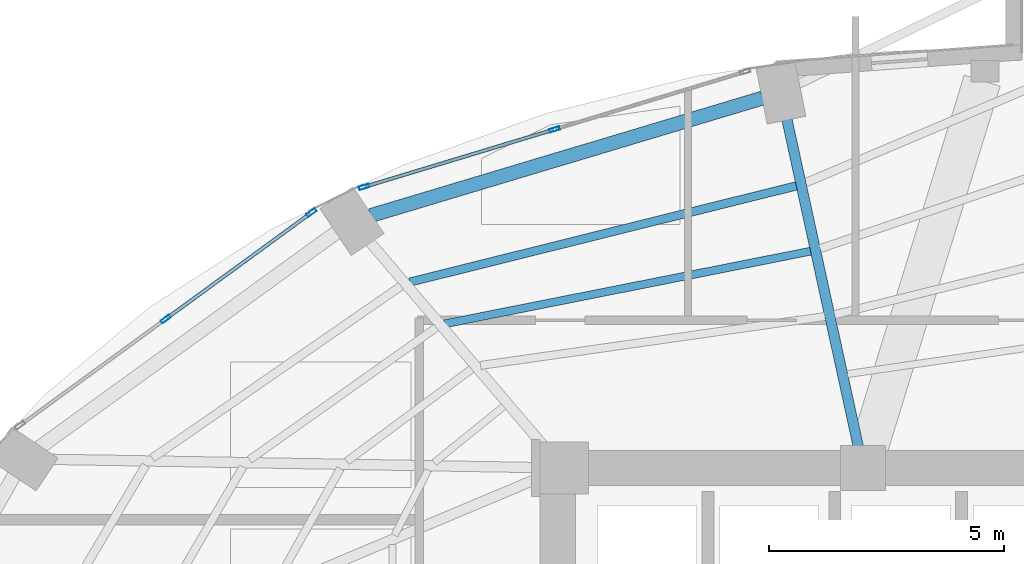
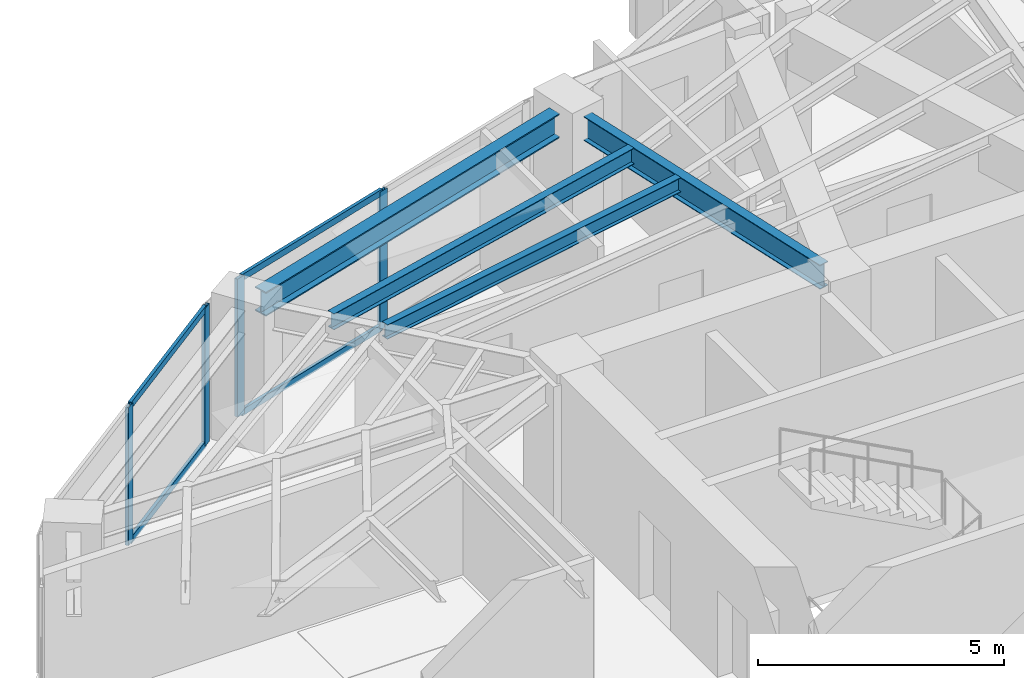
# One storey, part 14 of 23: 8 members, 4 beams, 2 elements without a shape of their own.
"""IFC4 building model written with IfcOpenShell, lengths in metres."""

from ifc_helpers import new_model, si_unit, direction, frame, origin, origin_2d, place, context, subcontext, project, spatial, hollow_rectangle, i_section, extrude, material, layer, layer_set, material_profile, profile_set, type_object, element, aggregate, save


model = new_model("IFC4")

# Units and contexts
model_context = context("Model", 3, precision=1e-05, world=origin(), true_north=direction((0.0, 1.0)))
body_context = subcontext(model_context, "Body", "Model", "MODEL_VIEW")
ifc_project = project(units=[si_unit("LENGTHUNIT", "METRE"), si_unit("AREAUNIT", "SQUARE_METRE"), si_unit("VOLUMEUNIT", "CUBIC_METRE"), si_unit("PLANEANGLEUNIT", "RADIAN"), si_unit("MASSUNIT", "GRAM", prefix="KILO")], contexts=[model_context])

# Site, building, storey
site_placement = place(None, origin())
site = spatial("IfcSite", under=ifc_project, at=site_placement, CompositionType="ELEMENT")
building_placement = place(site_placement, origin())
building = spatial("IfcBuilding", under=site, at=building_placement, Name="Lazwardi Medical Tower", CompositionType="ELEMENT")
storey_placement = place(building_placement, frame((0.0, 0.0, 89.0400390625)))
storey = spatial("IfcBuildingStorey", under=building, at=storey_placement, Name="L22", CompositionType="ELEMENT", Elevation=89.0400390625)

# Beams
ifc_material_1 = material(Name="Steel S355", Category="steel")
ifc_material_profile_1 = material_profile(ifc_material_1, i_section(OverallWidth=0.300048828125, OverallDepth=0.60009765625, WebThickness=0.015380859375, FlangeThickness=0.030029296875, at=origin_2d()), Name="HEB 600")
ifc_profile_set_1 = profile_set([ifc_material_profile_1], Name="Steel S355")
beam_type_1 = type_object("IfcBeamType", Name="BM-RB-Z2", PredefinedType="BEAM", material=ifc_profile_set_1)
beam_1_placement = place(storey_placement, frame((30.661865234375, 43.4794921875, 3.1279296875), z_axis=(-0.957879438442, -0.287170648587, 0.0), x_axis=(0.287170648587, -0.957879438442, 0.0)))
element("IfcBeam", 1, at=beam_1_placement, inside=storey, type_object=beam_type_1, Name="Ring beam RB-03 B09 L22", PredefinedType="BEAM", context=body_context, shape_type="SweptSolid", body=[
    extrude(i_section(OverallWidth=0.300048828125, OverallDepth=0.60009765625, WebThickness=0.015380859375, FlangeThickness=0.030029296875, at=origin_2d()), origin(), (0.0, 0.0, 1.0), 8.719970703125),
])
ifc_material_profile_2 = material_profile(ifc_material_1, i_section(OverallWidth=0.219970703125, OverallDepth=0.60009765625, WebThickness=0.011962890625, FlangeThickness=0.01904296875, at=origin_2d()), Name="IPE 600")
ifc_profile_set_2 = profile_set([ifc_material_profile_2], Name="Steel S355")
beam_type_2 = type_object("IfcBeamType", Name="BM-RG-W1", PredefinedType="BEAM", material=ifc_profile_set_2)
beam_2_placement = place(storey_placement, frame((31.17822265625, 43.03076171875, 3.1279296875), z_axis=(0.213228150441, -0.977002433907, 0.0), x_axis=(0.977002433907, 0.213228150441, 0.0)))
element("IfcBeam", 2, at=beam_2_placement, inside=storey, type_object=beam_type_2, Name="Radial girder RG-02 R09 L22", PredefinedType="BEAM", context=body_context, shape_type="SweptSolid", body=[
    extrude(i_section(OverallWidth=0.219970703125, OverallDepth=0.60009765625, WebThickness=0.011962890625, FlangeThickness=0.01904296875, at=origin_2d()), origin(), (0.0, 0.0, 1.0), 7.145751953125),
])
ifc_material_profile_3 = material_profile(ifc_material_1, i_section(OverallWidth=0.179931640625, OverallDepth=0.39990234375, WebThickness=0.008544921875, FlangeThickness=0.013427734375, at=origin_2d()), Name="IPE 400")
ifc_profile_set_3 = profile_set([ifc_material_profile_3], Name="Steel S355")
beam_type_3 = type_object("IfcBeamType", Name="BM-SJ-01", PredefinedType="JOIST", material=ifc_profile_set_3)
beam_3_placement = place(storey_placement, frame((31.381103515625, 41.609130859375, 3.22802734375), z_axis=(-0.970400881943, -0.241499748081, 0.0), x_axis=(0.241499748081, -0.970400881943, 0.0)))
element("IfcBeam", 3, at=beam_3_placement, inside=storey, type_object=beam_type_3, Name="Secondary joist SJ-01 R1 B09 L22", PredefinedType="JOIST", context=body_context, shape_type="SweptSolid", body=[
    extrude(i_section(OverallWidth=0.179931640625, OverallDepth=0.39990234375, WebThickness=0.008544921875, FlangeThickness=0.013427734375, at=origin_2d()), origin(), (0.0, 0.0, 1.0), 8.48583984375),
])
ifc_material_profile_4 = material_profile(ifc_material_1, i_section(OverallWidth=0.169921875, OverallDepth=0.360107421875, WebThickness=0.008056640625, FlangeThickness=0.0126953125, at=origin_2d()), Name="IPE 360")
ifc_profile_set_4 = profile_set([ifc_material_profile_4], Name="Steel S355")
beam_type_4 = type_object("IfcBeamType", Name="BM-SJ-02", PredefinedType="JOIST", material=ifc_profile_set_4)
beam_4_placement = place(storey_placement, frame((31.684814453125, 40.2177734375, 3.248046875), z_axis=(-0.980878853282, -0.194619308352, 0.0), x_axis=(0.194619308352, -0.980878853282, 0.0)))
element("IfcBeam", 4, at=beam_4_placement, inside=storey, type_object=beam_type_4, Name="Secondary joist SJ-02 R2 B09 L22", PredefinedType="JOIST", context=body_context, shape_type="SweptSolid", body=[
    extrude(i_section(OverallWidth=0.169921875, OverallDepth=0.360107421875, WebThickness=0.008056640625, FlangeThickness=0.0126953125, at=origin_2d()), origin(), (0.0, 0.0, 1.0), 7.93701171875),
])

# Curtain wall, members
ifc_material_2 = material(Name="Anodised bronze aluminium and solar control glazing", Category="aluminium")
ifc_layer = layer(ifc_material_2, 0.195068359375)
ifc_layer_set = layer_set([ifc_layer], Name="Anodised bronze aluminium and solar control glazing")
curtain_wall_type = type_object("IfcCurtainWallType", Name="CW-SYS-03", PredefinedType="NOTDEFINED", material=ifc_layer_set)
curtain_wall_1_placement = place(storey_placement, origin())
curtain_wall_1 = element("IfcCurtainWall", 5, at=curtain_wall_1_placement, inside=storey, type_object=curtain_wall_type, Name="L22 Unitised bronze curtain wall CW-03", PredefinedType="NOTDEFINED")
ifc_material_3 = material(Name="Anodised bronze aluminium", Category="aluminium")
ifc_material_profile_5 = material_profile(ifc_material_3, hollow_rectangle(XDim=0.074951171875, YDim=0.219970703125, WallThickness=0.00390625, at=origin_2d()), Name="ALU-MULLION 220x75x4")
ifc_profile_set_5 = profile_set([ifc_material_profile_5], Name="Anodised bronze aluminium")
member_type_1 = type_object("IfcMemberType", Name="CW-MUL-01", PredefinedType="MULLION", material=ifc_profile_set_5)
member_1_placement = place(storey_placement, frame((26.230712890625, 42.81298828125, 0.0), z_axis=(0.0, 0.0, 1.0), x_axis=(0.28937381157, -0.957216170558, 0.0)))
member_1 = element("IfcMember", 6, at=member_1_placement, type_object=member_type_1, Name="CW-03 mullion 2", PredefinedType="MULLION", context=body_context, shape_type="SweptSolid", body=[
    extrude(hollow_rectangle(XDim=0.074951171875, YDim=0.219970703125, WallThickness=0.00390625, at=origin_2d()), origin(), (0.0, 0.0, 1.0), 3.427978515625),
])
member_2_placement = place(storey_placement, frame((22.171630859375, 41.5859375, 0.0), z_axis=(0.0, 0.0, 1.0), x_axis=(0.28937381157, -0.957216170558, 0.0)))
member_2 = element("IfcMember", 7, at=member_2_placement, type_object=member_type_1, Name="CW-03 mullion 3", PredefinedType="MULLION", context=body_context, shape_type="SweptSolid", body=[
    extrude(hollow_rectangle(XDim=0.074951171875, YDim=0.219970703125, WallThickness=0.00390625, at=origin_2d()), origin(), (0.0, 0.0, 1.0), 3.427978515625),
])

curtain_wall_2_placement = place(storey_placement, origin())
curtain_wall_2 = element("IfcCurtainWall", 8, at=curtain_wall_2_placement, inside=storey, type_object=curtain_wall_type, Name="L22 Unitised bronze curtain wall CW-03", PredefinedType="NOTDEFINED")
member_3_placement = place(storey_placement, frame((21.052734375, 41.03955078125, 0.0), z_axis=(0.0, 0.0, 1.0), x_axis=(0.589530882802, -0.807745837639, 0.0)))
member_3 = element("IfcMember", 9, at=member_3_placement, type_object=member_type_1, Name="CW-03 mullion 1", PredefinedType="MULLION", context=body_context, shape_type="SweptSolid", body=[
    extrude(hollow_rectangle(XDim=0.074951171875, YDim=0.219970703125, WallThickness=0.00390625, at=origin_2d()), origin(), (0.0, 0.0, 1.0), 3.427978515625),
])
member_4_placement = place(storey_placement, frame((17.948974609375, 38.774169921875, 0.0), z_axis=(0.0, 0.0, 1.0), x_axis=(0.589530882802, -0.807745837639, 0.0)))
member_4 = element("IfcMember", 10, at=member_4_placement, type_object=member_type_1, Name="CW-03 mullion 2", PredefinedType="MULLION", context=body_context, shape_type="SweptSolid", body=[
    extrude(hollow_rectangle(XDim=0.074951171875, YDim=0.219970703125, WallThickness=0.00390625, at=origin_2d()), origin(), (0.0, 0.0, 1.0), 3.427978515625),
])

# Member
ifc_material_profile_6 = material_profile(ifc_material_3, hollow_rectangle(XDim=0.074951171875, YDim=0.159912109375, WallThickness=0.00390625, at=origin_2d()), Name="ALU-TRANSOM 160x75x4")
ifc_profile_set_6 = profile_set([ifc_material_profile_6], Name="Anodised bronze aluminium")
member_type_2 = type_object("IfcMemberType", Name="CW-TRN-01", PredefinedType="USERDEFINED", material=ifc_profile_set_6)
member_5_placement = place(storey_placement, frame((26.19482421875, 42.80224609375, 0.037353515625), z_axis=(-0.957220865985, -0.289358279168, 0.0), x_axis=(0.289358279168, -0.957220865985, 0.0)))
member_5 = element("IfcMember", 11, at=member_5_placement, type_object=member_type_2, Name="CW-03 transom 2.1", ObjectType="TRANSOM", PredefinedType="USERDEFINED", context=body_context, shape_type="SweptSolid", body=[
    extrude(hollow_rectangle(XDim=0.074951171875, YDim=0.159912109375, WallThickness=0.00390625, at=origin_2d()), origin(), (0.0, 0.0, 1.0), 4.16552734375),
])

member_6_placement = place(storey_placement, frame((26.19482421875, 42.80224609375, 3.390380859375), z_axis=(-0.957220865985, -0.289358279168, 0.0), x_axis=(0.289358279168, -0.957220865985, 0.0)))
member_6 = element("IfcMember", 12, at=member_6_placement, type_object=member_type_2, Name="CW-03 transom 2.2", ObjectType="TRANSOM", PredefinedType="USERDEFINED", context=body_context, shape_type="SweptSolid", body=[
    extrude(hollow_rectangle(XDim=0.074951171875, YDim=0.159912109375, WallThickness=0.00390625, at=origin_2d()), origin(), (0.0, 0.0, 1.0), 4.16552734375),
])

aggregate(curtain_wall_1, [member_1, member_2, member_5, member_6])

member_7_placement = place(storey_placement, frame((21.0224609375, 41.017578125, 0.037353515625), z_axis=(-0.807731734271, -0.589550206049, 0.0), x_axis=(0.589550206049, -0.807731734271, 0.0)))
member_7 = element("IfcMember", 13, at=member_7_placement, type_object=member_type_2, Name="CW-03 transom 1.1", ObjectType="TRANSOM", PredefinedType="USERDEFINED", context=body_context, shape_type="SweptSolid", body=[
    extrude(hollow_rectangle(XDim=0.074951171875, YDim=0.159912109375, WallThickness=0.00390625, at=origin_2d()), origin(), (0.0, 0.0, 1.0), 3.767578125),
])

member_8_placement = place(storey_placement, frame((21.0224609375, 41.017578125, 3.390380859375), z_axis=(-0.807731734271, -0.589550206049, 0.0), x_axis=(0.589550206049, -0.807731734271, 0.0)))
member_8 = element("IfcMember", 14, at=member_8_placement, type_object=member_type_2, Name="CW-03 transom 1.2", ObjectType="TRANSOM", PredefinedType="USERDEFINED", context=body_context, shape_type="SweptSolid", body=[
    extrude(hollow_rectangle(XDim=0.074951171875, YDim=0.159912109375, WallThickness=0.00390625, at=origin_2d()), origin(), (0.0, 0.0, 1.0), 3.767578125),
])

aggregate(curtain_wall_2, [member_3, member_4, member_7, member_8])

save(model, "model.ifc")
